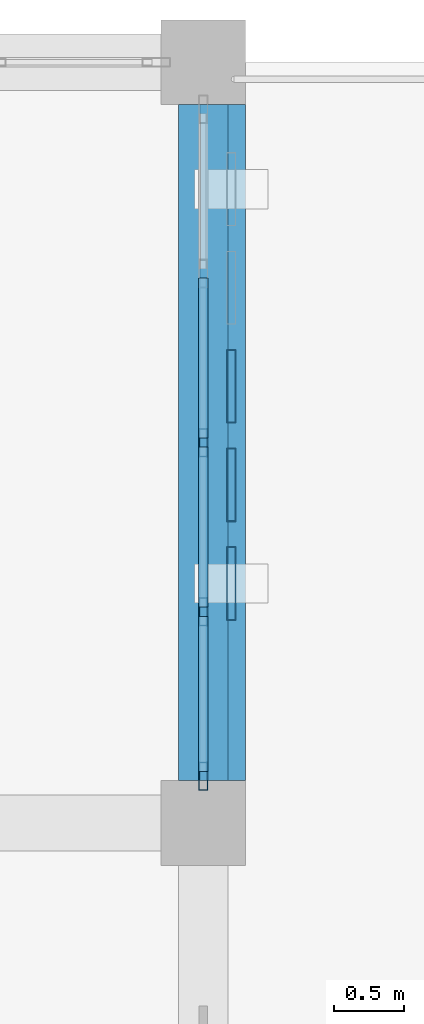
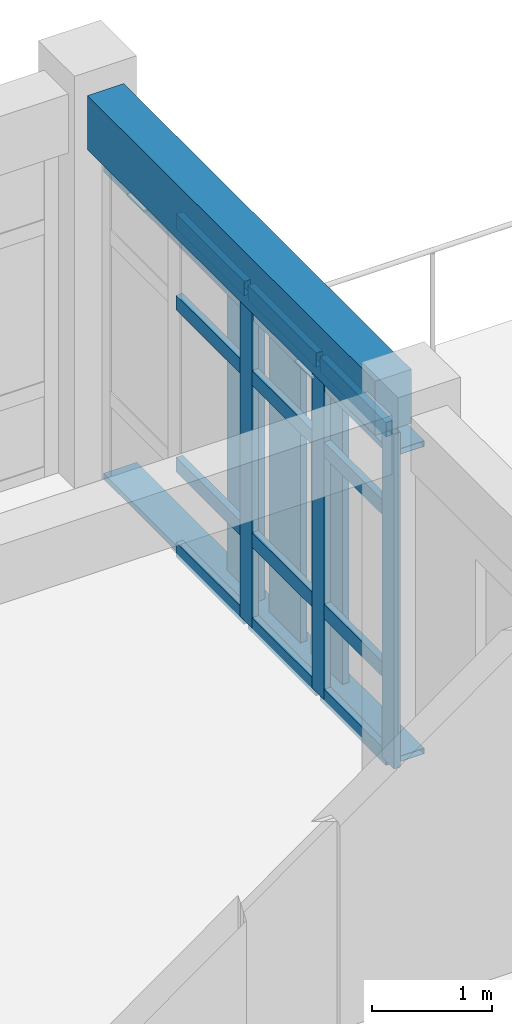
# One storey, part 12 of 21: 20 members, 1 beam, 1 element without a shape of its own.
"""IFC4 building model written with IfcOpenShell, lengths in metres."""

from ifc_helpers import new_model, si_unit, direction, frame, origin, origin_2d, place, context, subcontext, project, spatial, rectangle, hollow_rectangle, extrude, material, layer, layer_set, material_profile, profile_set, type_object, element, aggregate, save


model = new_model("IFC4")

# Units and contexts
model_context = context("Model", 3, precision=1e-05, world=origin(), true_north=direction((0.0, 1.0)))
body_context = subcontext(model_context, "Body", "Model", "MODEL_VIEW")
ifc_project = project(units=[si_unit("LENGTHUNIT", "METRE"), si_unit("AREAUNIT", "SQUARE_METRE"), si_unit("VOLUMEUNIT", "CUBIC_METRE"), si_unit("PLANEANGLEUNIT", "RADIAN"), si_unit("MASSUNIT", "GRAM", prefix="KILO")], contexts=[model_context])

# Site, building, storey
site_placement = place(None, origin())
site = spatial("IfcSite", under=ifc_project, at=site_placement, CompositionType="ELEMENT")
building_placement = place(site_placement, origin())
building = spatial("IfcBuilding", under=site, at=building_placement, Name="Krzemoval Escarpment Law Courts", CompositionType="ELEMENT")
storey_placement = place(building_placement, frame((0.0, 0.0, 37.800048828125)))
storey = spatial("IfcBuildingStorey", under=building, at=storey_placement, Name="L08", CompositionType="ELEMENT", Elevation=37.800048828125)

# Beam
ifc_material_1 = material(Name="Concrete C40/50", Category="concrete")
ifc_material_profile_1 = material_profile(ifc_material_1, rectangle(XDim=0.35009765625, YDim=0.550048828125, at=origin_2d()), Name="RCB 350x550")
ifc_profile_set_1 = profile_set([ifc_material_profile_1], Name="Concrete C40/50")
beam_type = type_object("IfcBeamType", Name="BM-RC-350x550", PredefinedType="BEAM", material=ifc_profile_set_1)
beam_placement = place(storey_placement, frame((156.60009765625, 113.699951171875, 3.68505859375), z_axis=(0.0, 1.0, 0.0), x_axis=(-1.0, 0.0, 0.0)))
element("IfcBeam", 1, at=beam_placement, inside=storey, type_object=beam_type, Name="Beam FG-L08-2781", PredefinedType="BEAM", context=body_context, shape_type="SweptSolid", body=[
    extrude(rectangle(XDim=0.35009765625, YDim=0.550048828125, at=origin_2d()), origin(), (0.0, 0.0, 1.0), 4.800048828125),
])

# Curtain wall, members
ifc_material_2 = material(Name="Aluminium 6063-T6", Category="aluminium")
ifc_layer = layer(ifc_material_2, 0.219970703125)
ifc_layer_set = layer_set([ifc_layer], Name="Aluminium 6063-T6")
curtain_wall_type = type_object("IfcCurtainWallType", Name="CW-CHMB-4200", PredefinedType="USERDEFINED", material=ifc_layer_set)
curtain_wall_placement = place(storey_placement, origin())
curtain_wall = element("IfcCurtainWall", 2, at=curtain_wall_placement, inside=storey, type_object=curtain_wall_type, Name="Unitised Curtain Wall FCW-L08-167", ObjectType="UNITISED_CURTAIN_WALL", PredefinedType="USERDEFINED")
ifc_material_3 = material(Name="Aluminium 6063-T6", Category="aluminium")
ifc_material_profile_2 = material_profile(ifc_material_3, hollow_rectangle(XDim=0.06494140625, YDim=0.199951171875, WallThickness=0.00439453125, at=origin_2d()), Name="ALU M65x200")
ifc_profile_set_2 = profile_set([ifc_material_profile_2], Name="Aluminium 6063-T6")
member_type_1 = type_object("IfcMemberType", Name="CWM-65x200", PredefinedType="MULLION", material=ifc_profile_set_2)
member_1_placement = place(storey_placement, frame((156.60009765625, 116.10009765625, 0.0), z_axis=(0.0, 0.0, 1.0), x_axis=(1.0, 0.0, 0.0)))
member_1 = element("IfcMember", 3, at=member_1_placement, type_object=member_type_1, Name="FCW-L08-167 mullion 3", PredefinedType="MULLION", context=body_context, shape_type="SweptSolid", body=[
    extrude(hollow_rectangle(XDim=0.06494140625, YDim=0.199951171875, WallThickness=0.00439453125, at=origin_2d()), origin(), (0.0, 0.0, 1.0), 3.409912109375),
])
member_2_placement = place(storey_placement, frame((156.60009765625, 114.89990234375, 0.0), z_axis=(0.0, 0.0, 1.0), x_axis=(1.0, 0.0, 0.0)))
member_2 = element("IfcMember", 4, at=member_2_placement, type_object=member_type_1, Name="FCW-L08-167 mullion 4", PredefinedType="MULLION", context=body_context, shape_type="SweptSolid", body=[
    extrude(hollow_rectangle(XDim=0.06494140625, YDim=0.199951171875, WallThickness=0.00439453125, at=origin_2d()), origin(), (0.0, 0.0, 1.0), 3.409912109375),
])
member_3_placement = place(storey_placement, frame((156.60009765625, 113.732421875, 0.0), z_axis=(0.0, 0.0, 1.0), x_axis=(1.0, 0.0, 0.0)))
member_3 = element("IfcMember", 5, at=member_3_placement, type_object=member_type_1, Name="FCW-L08-167 mullion 5", PredefinedType="MULLION", context=body_context, shape_type="SweptSolid", body=[
    extrude(hollow_rectangle(XDim=0.06494140625, YDim=0.199951171875, WallThickness=0.00439453125, at=origin_2d()), origin(), (0.0, 0.0, 1.0), 3.409912109375),
])
ifc_material_4 = material(Name="Aluminium 6063-T6", Category="aluminium")
ifc_material_profile_3 = material_profile(ifc_material_4, hollow_rectangle(XDim=0.06494140625, YDim=0.14990234375, WallThickness=0.00439453125, at=origin_2d()), Name="ALU T65x150")
ifc_profile_set_3 = profile_set([ifc_material_profile_3], Name="Aluminium 6063-T6")
member_type_2 = type_object("IfcMemberType", Name="CWT-65x150", PredefinedType="USERDEFINED", material=ifc_profile_set_3)
member_4_placement = place(storey_placement, frame((156.60009765625, 117.267578125, 0.032470703125), z_axis=(0.0, -1.0, 0.0), x_axis=(1.0, 0.0, 0.0)))
member_4 = element("IfcMember", 6, at=member_4_placement, type_object=member_type_2, Name="FCW-L08-167 transom 2.1", ObjectType="TRANSOM", PredefinedType="USERDEFINED", context=body_context, shape_type="SweptSolid", body=[
    extrude(hollow_rectangle(XDim=0.06494140625, YDim=0.14990234375, WallThickness=0.00439453125, at=origin_2d()), origin(), (0.0, 0.0, 1.0), 1.135009765625),
])
member_5_placement = place(storey_placement, frame((156.60009765625, 117.267578125, 0.89990234375), z_axis=(0.0, -1.0, 0.0), x_axis=(1.0, 0.0, 0.0)))
member_5 = element("IfcMember", 7, at=member_5_placement, type_object=member_type_2, Name="FCW-L08-167 transom 2.2", ObjectType="TRANSOM", PredefinedType="USERDEFINED", context=body_context, shape_type="SweptSolid", body=[
    extrude(hollow_rectangle(XDim=0.06494140625, YDim=0.14990234375, WallThickness=0.00439453125, at=origin_2d()), origin(), (0.0, 0.0, 1.0), 1.135009765625),
])
member_6_placement = place(storey_placement, frame((156.60009765625, 117.267578125, 2.550048828125), z_axis=(0.0, -1.0, 0.0), x_axis=(1.0, 0.0, 0.0)))
member_6 = element("IfcMember", 8, at=member_6_placement, type_object=member_type_2, Name="FCW-L08-167 transom 2.3", ObjectType="TRANSOM", PredefinedType="USERDEFINED", context=body_context, shape_type="SweptSolid", body=[
    extrude(hollow_rectangle(XDim=0.06494140625, YDim=0.14990234375, WallThickness=0.00439453125, at=origin_2d()), origin(), (0.0, 0.0, 1.0), 1.135009765625),
])
member_7_placement = place(storey_placement, frame((156.60009765625, 117.267578125, 3.37744140625), z_axis=(0.0, -1.0, 0.0), x_axis=(1.0, 0.0, 0.0)))
member_7 = element("IfcMember", 9, at=member_7_placement, type_object=member_type_2, Name="FCW-L08-167 transom 2.4", ObjectType="TRANSOM", PredefinedType="USERDEFINED", context=body_context, shape_type="SweptSolid", body=[
    extrude(hollow_rectangle(XDim=0.06494140625, YDim=0.14990234375, WallThickness=0.00439453125, at=origin_2d()), origin(), (0.0, 0.0, 1.0), 1.135009765625),
])
member_8_placement = place(storey_placement, frame((156.60009765625, 116.0673828125, 0.032470703125), z_axis=(0.0, -1.0, 0.0), x_axis=(1.0, 0.0, 0.0)))
member_8 = element("IfcMember", 10, at=member_8_placement, type_object=member_type_2, Name="FCW-L08-167 transom 3.1", ObjectType="TRANSOM", PredefinedType="USERDEFINED", context=body_context, shape_type="SweptSolid", body=[
    extrude(hollow_rectangle(XDim=0.06494140625, YDim=0.14990234375, WallThickness=0.00439453125, at=origin_2d()), origin(), (0.0, 0.0, 1.0), 1.134765625),
])
member_9_placement = place(storey_placement, frame((156.60009765625, 116.0673828125, 0.89990234375), z_axis=(0.0, -1.0, 0.0), x_axis=(1.0, 0.0, 0.0)))
member_9 = element("IfcMember", 11, at=member_9_placement, type_object=member_type_2, Name="FCW-L08-167 transom 3.2", ObjectType="TRANSOM", PredefinedType="USERDEFINED", context=body_context, shape_type="SweptSolid", body=[
    extrude(hollow_rectangle(XDim=0.06494140625, YDim=0.14990234375, WallThickness=0.00439453125, at=origin_2d()), origin(), (0.0, 0.0, 1.0), 1.134765625),
])
member_10_placement = place(storey_placement, frame((156.60009765625, 116.0673828125, 2.550048828125), z_axis=(0.0, -1.0, 0.0), x_axis=(1.0, 0.0, 0.0)))
member_10 = element("IfcMember", 12, at=member_10_placement, type_object=member_type_2, Name="FCW-L08-167 transom 3.3", ObjectType="TRANSOM", PredefinedType="USERDEFINED", context=body_context, shape_type="SweptSolid", body=[
    extrude(hollow_rectangle(XDim=0.06494140625, YDim=0.14990234375, WallThickness=0.00439453125, at=origin_2d()), origin(), (0.0, 0.0, 1.0), 1.134765625),
])
member_11_placement = place(storey_placement, frame((156.60009765625, 116.0673828125, 3.37744140625), z_axis=(0.0, -1.0, 0.0), x_axis=(1.0, 0.0, 0.0)))
member_11 = element("IfcMember", 13, at=member_11_placement, type_object=member_type_2, Name="FCW-L08-167 transom 3.4", ObjectType="TRANSOM", PredefinedType="USERDEFINED", context=body_context, shape_type="SweptSolid", body=[
    extrude(hollow_rectangle(XDim=0.06494140625, YDim=0.14990234375, WallThickness=0.00439453125, at=origin_2d()), origin(), (0.0, 0.0, 1.0), 1.134765625),
])
member_12_placement = place(storey_placement, frame((156.60009765625, 114.867431640625, 0.032470703125), z_axis=(0.0, -1.0, 0.0), x_axis=(1.0, 0.0, 0.0)))
member_12 = element("IfcMember", 14, at=member_12_placement, type_object=member_type_2, Name="FCW-L08-167 transom 4.1", ObjectType="TRANSOM", PredefinedType="USERDEFINED", context=body_context, shape_type="SweptSolid", body=[
    extrude(hollow_rectangle(XDim=0.06494140625, YDim=0.14990234375, WallThickness=0.00439453125, at=origin_2d()), origin(), (0.0, 0.0, 1.0), 1.1025390625),
])
member_13_placement = place(storey_placement, frame((156.60009765625, 114.867431640625, 0.89990234375), z_axis=(0.0, -1.0, 0.0), x_axis=(1.0, 0.0, 0.0)))
member_13 = element("IfcMember", 15, at=member_13_placement, type_object=member_type_2, Name="FCW-L08-167 transom 4.2", ObjectType="TRANSOM", PredefinedType="USERDEFINED", context=body_context, shape_type="SweptSolid", body=[
    extrude(hollow_rectangle(XDim=0.06494140625, YDim=0.14990234375, WallThickness=0.00439453125, at=origin_2d()), origin(), (0.0, 0.0, 1.0), 1.1025390625),
])
member_14_placement = place(storey_placement, frame((156.60009765625, 114.867431640625, 2.550048828125), z_axis=(0.0, -1.0, 0.0), x_axis=(1.0, 0.0, 0.0)))
member_14 = element("IfcMember", 16, at=member_14_placement, type_object=member_type_2, Name="FCW-L08-167 transom 4.3", ObjectType="TRANSOM", PredefinedType="USERDEFINED", context=body_context, shape_type="SweptSolid", body=[
    extrude(hollow_rectangle(XDim=0.06494140625, YDim=0.14990234375, WallThickness=0.00439453125, at=origin_2d()), origin(), (0.0, 0.0, 1.0), 1.1025390625),
])
member_15_placement = place(storey_placement, frame((156.60009765625, 114.867431640625, 3.37744140625), z_axis=(0.0, -1.0, 0.0), x_axis=(1.0, 0.0, 0.0)))
member_15 = element("IfcMember", 17, at=member_15_placement, type_object=member_type_2, Name="FCW-L08-167 transom 4.4", ObjectType="TRANSOM", PredefinedType="USERDEFINED", context=body_context, shape_type="SweptSolid", body=[
    extrude(hollow_rectangle(XDim=0.06494140625, YDim=0.14990234375, WallThickness=0.00439453125, at=origin_2d()), origin(), (0.0, 0.0, 1.0), 1.1025390625),
])
aggregate(curtain_wall, [member_1, member_2, member_3, member_4, member_5, member_6, member_7, member_8, member_9, member_10, member_11, member_12, member_13, member_14, member_15])

# Members
ifc_material_5 = material(Name="Anodised Aluminium Alloy 6063-T6", Category="aluminium")
ifc_material_profile_4 = material_profile(ifc_material_5, hollow_rectangle(XDim=0.06005859375, YDim=0.320068359375, WallThickness=0.00390625, at=origin_2d()), Name="ALU LVR 60x320")
ifc_profile_set_4 = profile_set([ifc_material_profile_4], Name="Anodised Aluminium Alloy 6063-T6")
member_type_3 = type_object("IfcMemberType", Name="LVR-ALU-320", PredefinedType="USERDEFINED", material=ifc_profile_set_4)
for number, where, z_axis, x_axis, name in (
    (18, (156.739990234375, 118.5, 0.030029296875), (0.0, -1.0, 0.0), (0.0, 0.0, 1.0), "Sunshade Support Rail FSR-L08-1096"),
    (19, (156.739990234375, 118.5, 3.159912109375), (0.0, -1.0, 0.0), (0.0, 0.0, 1.0), "Sunshade Support Rail FSR-L08-1097"),
):
    element("IfcMember", number, at=place(storey_placement, frame(where, z_axis=z_axis, x_axis=x_axis)), inside=storey, type_object=member_type_3, Name=name, ObjectType="SUNSHADE_LOUVRE", PredefinedType="USERDEFINED", context=body_context, shape_type="SweptSolid", body=[
        extrude(hollow_rectangle(XDim=0.06005859375, YDim=0.320068359375, WallThickness=0.00390625, at=origin_2d()), origin(), (0.0, 0.0, 1.0), 4.800048828125),
    ])
ifc_material_6 = material(Name="Anodised Aluminium Alloy 6063-T6", Category="aluminium")
ifc_material_profile_5 = material_profile(ifc_material_6, hollow_rectangle(XDim=0.06494140625, YDim=0.52001953125, WallThickness=0.00439453125, at=origin_2d()), Name="ALU LVR 65x520")
ifc_profile_set_5 = profile_set([ifc_material_profile_5], Name="Anodised Aluminium Alloy 6063-T6")
member_type_4 = type_object("IfcMemberType", Name="LVR-ALU-520", PredefinedType="USERDEFINED", material=ifc_profile_set_5)
for number, where, z_axis, x_axis, name in (
    (20, (156.800048828125, 116.5, 0.06005859375), (0.0, 0.0, 1.0), (1.0, 0.0, 0.0), "Sunshade Louvre Fin FLV-L08-1100"),
    (21, (156.800048828125, 115.800048828125, 0.06005859375), (0.0, 0.0, 1.0), (1.0, 0.0, 0.0), "Sunshade Louvre Fin FLV-L08-1101"),
    (22, (156.800048828125, 115.10009765625, 0.06005859375), (0.0, 0.0, 1.0), (1.0, 0.0, 0.0), "Sunshade Louvre Fin FLV-L08-1102"),
):
    element("IfcMember", number, at=place(storey_placement, frame(where, z_axis=z_axis, x_axis=x_axis)), inside=storey, type_object=member_type_4, Name=name, ObjectType="SUNSHADE_LOUVRE", PredefinedType="USERDEFINED", context=body_context, shape_type="SweptSolid", body=[
        extrude(hollow_rectangle(XDim=0.06494140625, YDim=0.52001953125, WallThickness=0.00439453125, at=origin_2d()), origin(), (0.0, 0.0, 1.0), 3.349853515625),
    ])

save(model, "model.ifc")
